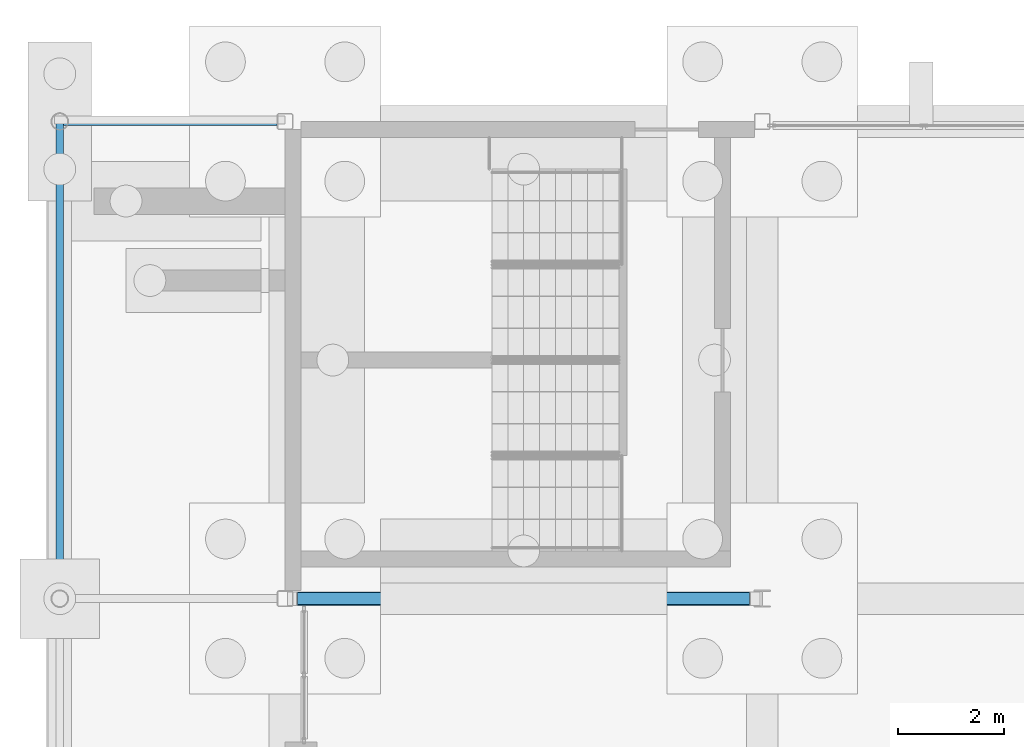
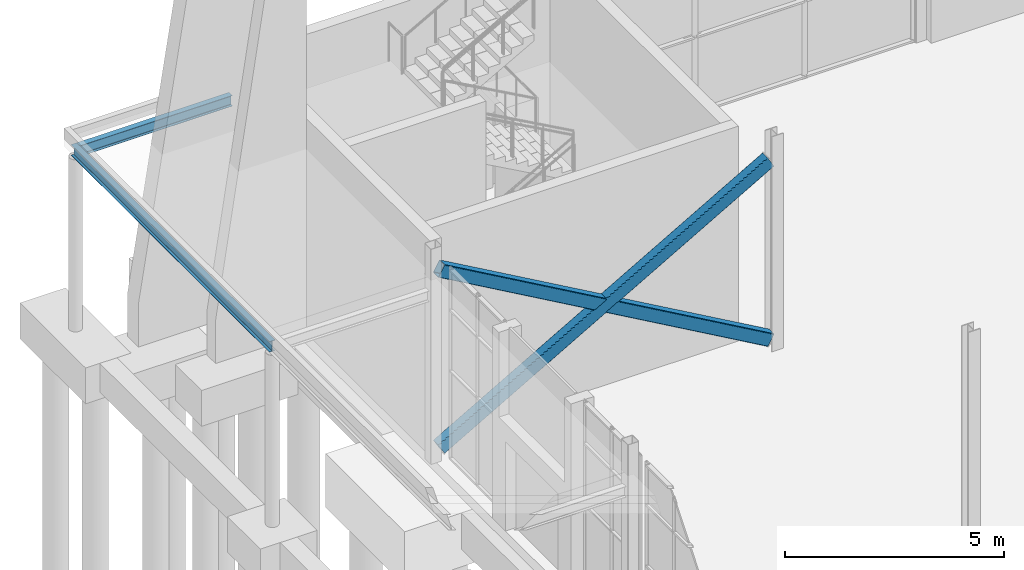
# One storey, part 52 of 139: 2 beams, 2 members.
"""IFC4 building model written with IfcOpenShell, lengths in metres."""

from ifc_helpers import new_model, si_unit, direction, frame, origin, origin_2d, place, context, subcontext, project, spatial, hollow_rectangle, i_section, extrude, material, material_profile, profile_set, type_object, element, save


model = new_model("IFC4")

# Units and contexts
model_context = context("Model", 3, precision=1e-05, world=origin(), true_north=direction((0.0, 1.0)))
body_context = subcontext(model_context, "Body", "Model", "MODEL_VIEW")
ifc_project = project(units=[si_unit("LENGTHUNIT", "METRE"), si_unit("AREAUNIT", "SQUARE_METRE"), si_unit("VOLUMEUNIT", "CUBIC_METRE"), si_unit("PLANEANGLEUNIT", "RADIAN"), si_unit("MASSUNIT", "GRAM", prefix="KILO")], contexts=[model_context])

# Site, building, storey
site_placement = place(None, origin())
site = spatial("IfcSite", under=ifc_project, at=site_placement, CompositionType="ELEMENT")
building_placement = place(site_placement, origin())
building = spatial("IfcBuilding", under=site, at=building_placement, Name="Shorebreak Coast Museum", CompositionType="ELEMENT")
storey_placement = place(building_placement, origin())
storey = spatial("IfcBuildingStorey", under=building, at=storey_placement, Name="L00", CompositionType="ELEMENT", Elevation=0.0)

# Beams
ifc_material_1 = material(Name="Steel Grade 300", Category="steel")
ifc_material_profile_1 = material_profile(ifc_material_1, i_section(OverallWidth=0.14892578125, OverallDepth=0.298095703125, WebThickness=0.005615234375, FlangeThickness=0.008056640625, FilletRadius=0.012939453125, at=origin_2d()), Name="310UB32.0")
ifc_profile_set_1 = profile_set([ifc_material_profile_1], Name="Steel Grade 300")
beam_type_1 = type_object("IfcBeamType", Name="Arcade edge beam 310UB32.0", PredefinedType="BEAM", material=ifc_profile_set_1)
beam_1_placement = place(storey_placement, frame((-4.25, 81.0, 4.65087890625), z_axis=(0.0, 1.0, 0.0), x_axis=(-1.0, 0.0, 0.0)))
element("IfcBeam", 1, at=beam_1_placement, inside=storey, type_object=beam_type_1, Name="Arcade edge beam west 4", PredefinedType="BEAM", context=body_context, shape_type="SweptSolid", body=[
    extrude(i_section(OverallWidth=0.14892578125, OverallDepth=0.298095703125, WebThickness=0.005615234375, FlangeThickness=0.008056640625, FilletRadius=0.012939453125, at=origin_2d()), origin(), (0.0, 0.0, 1.0), 9.074462890625),
])
ifc_material_2 = material(Name="Steel Grade 300", Category="steel")
ifc_material_profile_2 = material_profile(ifc_material_2, i_section(OverallWidth=0.14892578125, OverallDepth=0.298095703125, WebThickness=0.005615234375, FlangeThickness=0.008056640625, FilletRadius=0.012939453125, at=origin_2d()), Name="310UB32.0")
ifc_profile_set_2 = profile_set([ifc_material_profile_2], Name="Steel Grade 300")
beam_type_2 = type_object("IfcBeamType", Name="Arcade primary beam 310UB32.0", PredefinedType="BEAM", material=ifc_profile_set_2)
beam_2_placement = place(storey_placement, frame((-0.14990234375, 90.0, 4.65087890625), z_axis=(-1.0, 0.0, 0.0), x_axis=(0.0, -1.0, 0.0)))
element("IfcBeam", 2, at=beam_2_placement, inside=storey, type_object=beam_type_2, Name="Arcade primary beam west 5", PredefinedType="BEAM", context=body_context, shape_type="SweptSolid", body=[
    extrude(i_section(OverallWidth=0.14892578125, OverallDepth=0.298095703125, WebThickness=0.005615234375, FlangeThickness=0.008056640625, FilletRadius=0.012939453125, at=origin_2d()), origin(), (0.0, 0.0, 1.0), 4.025634765625),
])

# Members
ifc_material_3 = material(Name="Steel Grade C450L0", Category="steel")
ifc_material_profile_3 = material_profile(ifc_material_3, hollow_rectangle(XDim=0.25, YDim=0.35009765625, WallThickness=0.012451171875, InnerFilletRadius=0.018798828125, OuterFilletRadius=0.03125, at=origin_2d()), Name="350x250x12.5 RHS")
ifc_profile_set_3 = profile_set([ifc_material_profile_3], Name="Steel Grade C450L0")
member_type = type_object("IfcMemberType", Name="X-brace 350x250x12.5 RHS", PredefinedType="BRACE", material=ifc_profile_set_3)
for number, where, z_axis, x_axis, name in (
    (3, (0.14990234375, 81.0, 0.300048828125), (0.86798657867, 0.0, 0.496587655152), (0.0, 1.0, 0.0), "X-brace bay 06 L00 diagonal 1"),
    (4, (8.845458984375, 81.0, 0.300048828125), (-0.86798657867, 0.0, 0.496587655152), (0.0, -1.0, 0.0), "X-brace bay 06 L00 diagonal 2"),
):
    element("IfcMember", number, at=place(storey_placement, frame(where, z_axis=z_axis, x_axis=x_axis)), inside=storey, type_object=member_type, Name=name, PredefinedType="BRACE", context=body_context, shape_type="SweptSolid", body=[
        extrude(hollow_rectangle(XDim=0.25, YDim=0.35009765625, WallThickness=0.012451171875, InnerFilletRadius=0.018798828125, OuterFilletRadius=0.03125, at=origin_2d()), origin(), (0.0, 0.0, 1.0), 10.01806640625),
    ])

save(model, "model.ifc")
